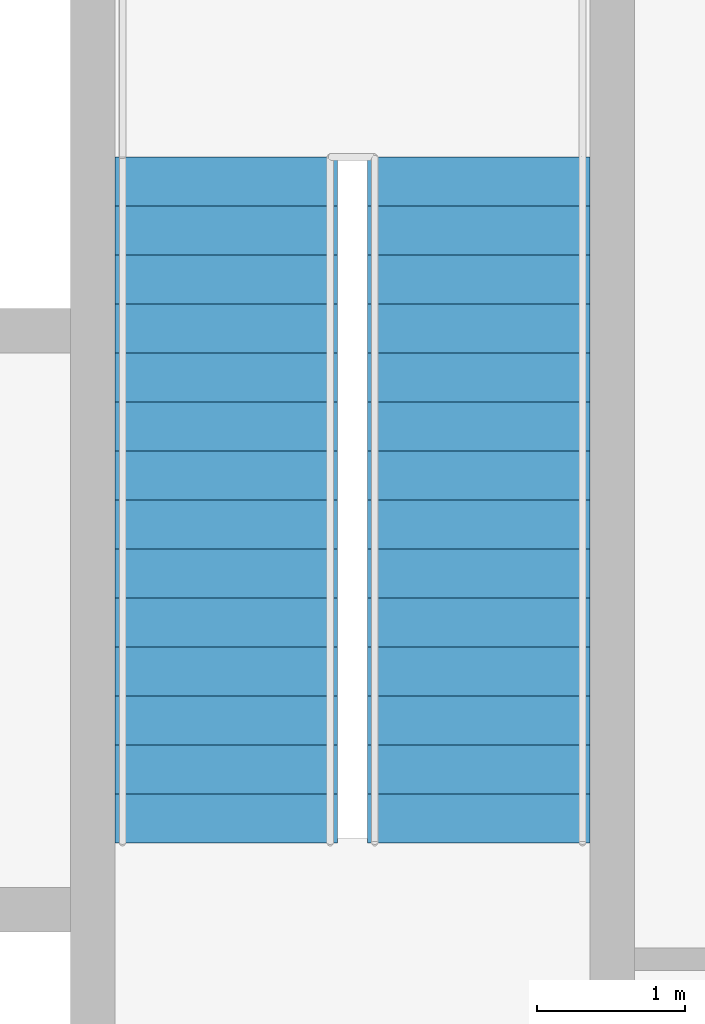
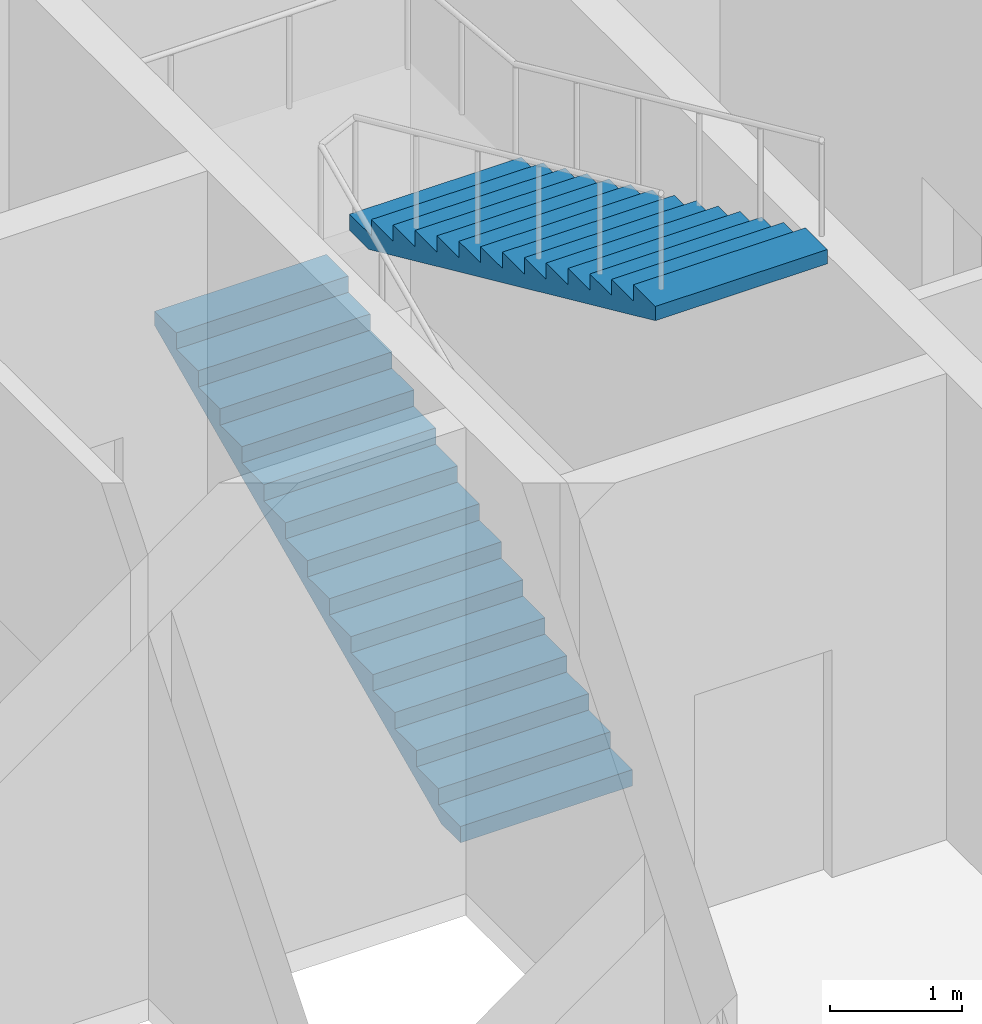
# One storey, part 10 of 11: 2 stair flights, 1 element without a shape of its own.
"""IFC4 building model written with IfcOpenShell, lengths in metres."""

from ifc_helpers import new_model, si_unit, direction, frame, origin, place, context, subcontext, project, spatial, polygons, material, type_object, element, aggregate, save


model = new_model("IFC4")

# Units and contexts
model_context = context("Model", 3, precision=1e-05, world=origin(), true_north=direction((0.0, 1.0)))
body_context = subcontext(model_context, "Body", "Model", "MODEL_VIEW")
ifc_project = project(units=[si_unit("LENGTHUNIT", "METRE"), si_unit("AREAUNIT", "SQUARE_METRE"), si_unit("VOLUMEUNIT", "CUBIC_METRE"), si_unit("PLANEANGLEUNIT", "RADIAN"), si_unit("MASSUNIT", "GRAM", prefix="KILO")], contexts=[model_context])

# Site, building, storey
site_placement = place(None, origin())
site = spatial("IfcSite", under=ifc_project, at=site_placement, CompositionType="ELEMENT")
building_placement = place(site_placement, origin())
building = spatial("IfcBuilding", under=site, at=building_placement, Name="Njiva Tower", CompositionType="ELEMENT")
storey_placement = place(building_placement, frame((0.0, 0.0, 69.3)))
storey = spatial("IfcBuildingStorey", under=building, at=storey_placement, Name="L14", CompositionType="ELEMENT", Elevation=69.3)

# Stair, stair flights
ifc_material = material(Name="Concrete C40/50", Category="concrete")
stair_type = type_object("IfcStairType", Name="ST4 Exit stair 1500", PredefinedType="HALF_TURN_STAIR", material=ifc_material)
stair_placement = place(storey_placement, origin())
stair = element("IfcStair", 1, at=stair_placement, inside=storey, type_object=stair_type, Name="Stair B", PredefinedType="HALF_TURN_STAIR")
stair_flight_type = type_object("IfcStairFlightType", Name="FL4 Stair flight 1500", PredefinedType="STRAIGHT", material=ifc_material)
stair_flight_1_placement = place(storey_placement, frame((11.75, 11.1, 0.0), z_axis=(0.0, 0.0, 1.0), x_axis=(0.0, 1.0, 0.0)))
stair_flight_1 = element("IfcStairFlight", 2, at=stair_flight_1_placement, type_object=stair_flight_type, Name="ST-B flight 1", NumberOfRisers=15, NumberOfTreads=14, PredefinedType="STRAIGHT", RiserHeight=0.15, TreadLength=0.33, context=body_context, shape_type="Tessellation", body=[
    polygons([(0.0, 0.75, 0.0), (0.0, 0.375, 0.0), (0.0, 0.0, 0.0), (0.0, -0.375, 0.0), (0.0, -0.75, 0.0), (0.0, 0.75, 0.15), (0.0, 0.375, 0.15), (0.0, 0.0, 0.15), (0.0, -0.375, 0.15), (0.0, -0.75, 0.15), (0.33, 0.75, 0.15), (0.33, 0.375, 0.15), (0.33, 0.0, 0.15), (0.33, -0.375, 0.15), (0.33, -0.75, 0.15), (0.33, 0.75, 0.3), (0.33, 0.375, 0.3), (0.33, 0.0, 0.3), (0.33, -0.375, 0.3), (0.33, -0.75, 0.3), (0.66, 0.75, 0.3), (0.66, 0.375, 0.3), (0.66, 0.0, 0.3), (0.66, -0.375, 0.3), (0.66, -0.75, 0.3), (0.66, 0.75, 0.45), (0.66, 0.375, 0.45), (0.66, 0.0, 0.45), (0.66, -0.375, 0.45), (0.66, -0.75, 0.45), (0.99, 0.75, 0.45), (0.99, 0.375, 0.45), (0.99, 0.0, 0.45), (0.99, -0.375, 0.45), (0.99, -0.75, 0.45), (0.99, 0.75, 0.6), (0.99, 0.375, 0.6), (0.99, 0.0, 0.6), (0.99, -0.375, 0.6), (0.99, -0.75, 0.6), (1.32, 0.75, 0.6), (1.32, 0.375, 0.6), (1.32, 0.0, 0.6), (1.32, -0.375, 0.6), (1.32, -0.75, 0.6), (1.32, 0.75, 0.75), (1.32, 0.375, 0.75), (1.32, 0.0, 0.75), (1.32, -0.375, 0.75), (1.32, -0.75, 0.75), (1.65, 0.75, 0.75), (1.65, 0.375, 0.75), (1.65, 0.0, 0.75), (1.65, -0.375, 0.75), (1.65, -0.75, 0.75), (1.65, 0.75, 0.9), (1.65, 0.375, 0.9), (1.65, 0.0, 0.9), (1.65, -0.375, 0.9), (1.65, -0.75, 0.9), (1.98, 0.75, 0.9), (1.98, 0.375, 0.9), (1.98, 0.0, 0.9), (1.98, -0.375, 0.9), (1.98, -0.75, 0.9), (1.98, 0.75, 1.05), (1.98, 0.375, 1.05), (1.98, 0.0, 1.05), (1.98, -0.375, 1.05), (1.98, -0.75, 1.05), (2.31, 0.75, 1.05), (2.31, 0.375, 1.05), (2.31, 0.0, 1.05), (2.31, -0.375, 1.05), (2.31, -0.75, 1.05), (2.31, 0.75, 1.2), (2.31, 0.375, 1.2), (2.31, 0.0, 1.2), (2.31, -0.375, 1.2), (2.31, -0.75, 1.2), (2.64, 0.75, 1.2), (2.64, 0.375, 1.2), (2.64, 0.0, 1.2), (2.64, -0.375, 1.2), (2.64, -0.75, 1.2), (2.64, 0.75, 1.35), (2.64, 0.375, 1.35), (2.64, 0.0, 1.35), (2.64, -0.375, 1.35), (2.64, -0.75, 1.35), (2.97, 0.75, 1.35), (2.97, 0.375, 1.35), (2.97, 0.0, 1.35), (2.97, -0.375, 1.35), (2.97, -0.75, 1.35), (2.97, 0.75, 1.5), (2.97, 0.375, 1.5), (2.97, 0.0, 1.5), (2.97, -0.375, 1.5), (2.97, -0.75, 1.5), (3.3, 0.75, 1.5), (3.3, 0.375, 1.5), (3.3, 0.0, 1.5), (3.3, -0.375, 1.5), (3.3, -0.75, 1.5), (3.3, 0.75, 1.65), (3.3, 0.375, 1.65), (3.3, 0.0, 1.65), (3.3, -0.375, 1.65), (3.3, -0.75, 1.65), (3.63, 0.75, 1.65), (3.63, 0.375, 1.65), (3.63, 0.0, 1.65), (3.63, -0.375, 1.65), (3.63, -0.75, 1.65), (3.63, 0.75, 1.8), (3.63, 0.375, 1.8), (3.63, 0.0, 1.8), (3.63, -0.375, 1.8), (3.63, -0.75, 1.8), (3.96, 0.75, 1.8), (3.96, 0.375, 1.8), (3.96, 0.0, 1.8), (3.96, -0.375, 1.8), (3.96, -0.75, 1.8), (3.96, 0.75, 1.95), (3.96, 0.375, 1.95), (3.96, 0.0, 1.95), (3.96, -0.375, 1.95), (3.96, -0.75, 1.95), (4.29, 0.75, 1.95), (4.29, 0.375, 1.95), (4.29, 0.0, 1.95), (4.29, -0.375, 1.95), (4.29, -0.75, 1.95), (4.29, 0.75, 2.1), (4.29, 0.375, 2.1), (4.29, 0.0, 2.1), (4.29, -0.375, 2.1), (4.29, -0.75, 2.1), (4.62, 0.75, 2.1), (4.62, 0.375, 2.1), (4.62, 0.0, 2.1), (4.62, -0.375, 2.1), (4.62, -0.75, 2.1), (4.62, 0.75, 1.9682), (4.62, 0.375, 1.9682), (4.62, 0.0, 1.9682), (4.62, -0.375, 1.9682), (4.62, -0.75, 1.9682), (0.29, 0.75, 0.0), (0.29, 0.375, 0.0), (0.29, 0.0, 0.0), (0.29, -0.375, 0.0), (0.29, -0.75, 0.0)], [[[1, 6, 11, 16, 21, 26, 31, 36, 41, 46, 51, 56, 61, 66, 71, 76, 81, 86, 91, 96, 101, 106, 111, 116, 121, 126, 131, 136, 141, 146, 151]], [[155, 150, 145, 140, 135, 130, 125, 120, 115, 110, 105, 100, 95, 90, 85, 80, 75, 70, 65, 60, 55, 50, 45, 40, 35, 30, 25, 20, 15, 10, 5]], [[6, 1, 2, 7]], [[7, 2, 3, 8]], [[8, 3, 4, 9]], [[9, 4, 5, 10]], [[11, 6, 7, 12]], [[12, 7, 8, 13]], [[13, 8, 9, 14]], [[14, 9, 10, 15]], [[16, 11, 12, 17]], [[17, 12, 13, 18]], [[18, 13, 14, 19]], [[19, 14, 15, 20]], [[21, 16, 17, 22]], [[22, 17, 18, 23]], [[23, 18, 19, 24]], [[24, 19, 20, 25]], [[26, 21, 22, 27]], [[27, 22, 23, 28]], [[28, 23, 24, 29]], [[29, 24, 25, 30]], [[31, 26, 27, 32]], [[32, 27, 28, 33]], [[33, 28, 29, 34]], [[34, 29, 30, 35]], [[36, 31, 32, 37]], [[37, 32, 33, 38]], [[38, 33, 34, 39]], [[39, 34, 35, 40]], [[41, 36, 37, 42]], [[42, 37, 38, 43]], [[43, 38, 39, 44]], [[44, 39, 40, 45]], [[46, 41, 42, 47]], [[47, 42, 43, 48]], [[48, 43, 44, 49]], [[49, 44, 45, 50]], [[51, 46, 47, 52]], [[52, 47, 48, 53]], [[53, 48, 49, 54]], [[54, 49, 50, 55]], [[56, 51, 52, 57]], [[57, 52, 53, 58]], [[58, 53, 54, 59]], [[59, 54, 55, 60]], [[61, 56, 57, 62]], [[62, 57, 58, 63]], [[63, 58, 59, 64]], [[64, 59, 60, 65]], [[66, 61, 62, 67]], [[67, 62, 63, 68]], [[68, 63, 64, 69]], [[69, 64, 65, 70]], [[71, 66, 67, 72]], [[72, 67, 68, 73]], [[73, 68, 69, 74]], [[74, 69, 70, 75]], [[76, 71, 72, 77]], [[77, 72, 73, 78]], [[78, 73, 74, 79]], [[79, 74, 75, 80]], [[81, 76, 77, 82]], [[82, 77, 78, 83]], [[83, 78, 79, 84]], [[84, 79, 80, 85]], [[86, 81, 82, 87]], [[87, 82, 83, 88]], [[88, 83, 84, 89]], [[89, 84, 85, 90]], [[91, 86, 87, 92]], [[92, 87, 88, 93]], [[93, 88, 89, 94]], [[94, 89, 90, 95]], [[96, 91, 92, 97]], [[97, 92, 93, 98]], [[98, 93, 94, 99]], [[99, 94, 95, 100]], [[101, 96, 97, 102]], [[102, 97, 98, 103]], [[103, 98, 99, 104]], [[104, 99, 100, 105]], [[106, 101, 102, 107]], [[107, 102, 103, 108]], [[108, 103, 104, 109]], [[109, 104, 105, 110]], [[111, 106, 107, 112]], [[112, 107, 108, 113]], [[113, 108, 109, 114]], [[114, 109, 110, 115]], [[116, 111, 112, 117]], [[117, 112, 113, 118]], [[118, 113, 114, 119]], [[119, 114, 115, 120]], [[121, 116, 117, 122]], [[122, 117, 118, 123]], [[123, 118, 119, 124]], [[124, 119, 120, 125]], [[126, 121, 122, 127]], [[127, 122, 123, 128]], [[128, 123, 124, 129]], [[129, 124, 125, 130]], [[131, 126, 127, 132]], [[132, 127, 128, 133]], [[133, 128, 129, 134]], [[134, 129, 130, 135]], [[136, 131, 132, 137]], [[137, 132, 133, 138]], [[138, 133, 134, 139]], [[139, 134, 135, 140]], [[141, 136, 137, 142]], [[142, 137, 138, 143]], [[143, 138, 139, 144]], [[144, 139, 140, 145]], [[146, 141, 142, 147]], [[147, 142, 143, 148]], [[148, 143, 144, 149]], [[149, 144, 145, 150]], [[151, 146, 147, 152]], [[152, 147, 148, 153]], [[153, 148, 149, 154]], [[154, 149, 150, 155]], [[1, 151, 152, 2]], [[2, 152, 153, 3]], [[3, 153, 154, 4]], [[4, 154, 155, 5]]], closed=True),
])
stair_flight_2_placement = place(storey_placement, frame((13.45, 15.72, 2.25), z_axis=(0.0, 0.0, 1.0), x_axis=(0.0, -1.0, 0.0)))
stair_flight_2 = element("IfcStairFlight", 3, at=stair_flight_2_placement, type_object=stair_flight_type, Name="ST-B flight 2", NumberOfRisers=15, NumberOfTreads=14, PredefinedType="STRAIGHT", RiserHeight=0.15, TreadLength=0.33, context=body_context, shape_type="Tessellation", body=[
    polygons([(0.0, 0.75, 0.0), (0.0, 0.375, 0.0), (0.0, 0.0, 0.0), (0.0, -0.375, 0.0), (0.0, -0.75, 0.0), (0.0, 0.75, 0.15), (0.0, 0.375, 0.15), (0.0, 0.0, 0.15), (0.0, -0.375, 0.15), (0.0, -0.75, 0.15), (0.33, 0.75, 0.15), (0.33, 0.375, 0.15), (0.33, 0.0, 0.15), (0.33, -0.375, 0.15), (0.33, -0.75, 0.15), (0.33, 0.75, 0.3), (0.33, 0.375, 0.3), (0.33, 0.0, 0.3), (0.33, -0.375, 0.3), (0.33, -0.75, 0.3), (0.66, 0.75, 0.3), (0.66, 0.375, 0.3), (0.66, 0.0, 0.3), (0.66, -0.375, 0.3), (0.66, -0.75, 0.3), (0.66, 0.75, 0.45), (0.66, 0.375, 0.45), (0.66, 0.0, 0.45), (0.66, -0.375, 0.45), (0.66, -0.75, 0.45), (0.99, 0.75, 0.45), (0.99, 0.375, 0.45), (0.99, 0.0, 0.45), (0.99, -0.375, 0.45), (0.99, -0.75, 0.45), (0.99, 0.75, 0.6), (0.99, 0.375, 0.6), (0.99, 0.0, 0.6), (0.99, -0.375, 0.6), (0.99, -0.75, 0.6), (1.32, 0.75, 0.6), (1.32, 0.375, 0.6), (1.32, 0.0, 0.6), (1.32, -0.375, 0.6), (1.32, -0.75, 0.6), (1.32, 0.75, 0.75), (1.32, 0.375, 0.75), (1.32, 0.0, 0.75), (1.32, -0.375, 0.75), (1.32, -0.75, 0.75), (1.65, 0.75, 0.75), (1.65, 0.375, 0.75), (1.65, 0.0, 0.75), (1.65, -0.375, 0.75), (1.65, -0.75, 0.75), (1.65, 0.75, 0.9), (1.65, 0.375, 0.9), (1.65, 0.0, 0.9), (1.65, -0.375, 0.9), (1.65, -0.75, 0.9), (1.98, 0.75, 0.9), (1.98, 0.375, 0.9), (1.98, 0.0, 0.9), (1.98, -0.375, 0.9), (1.98, -0.75, 0.9), (1.98, 0.75, 1.05), (1.98, 0.375, 1.05), (1.98, 0.0, 1.05), (1.98, -0.375, 1.05), (1.98, -0.75, 1.05), (2.31, 0.75, 1.05), (2.31, 0.375, 1.05), (2.31, 0.0, 1.05), (2.31, -0.375, 1.05), (2.31, -0.75, 1.05), (2.31, 0.75, 1.2), (2.31, 0.375, 1.2), (2.31, 0.0, 1.2), (2.31, -0.375, 1.2), (2.31, -0.75, 1.2), (2.64, 0.75, 1.2), (2.64, 0.375, 1.2), (2.64, 0.0, 1.2), (2.64, -0.375, 1.2), (2.64, -0.75, 1.2), (2.64, 0.75, 1.35), (2.64, 0.375, 1.35), (2.64, 0.0, 1.35), (2.64, -0.375, 1.35), (2.64, -0.75, 1.35), (2.97, 0.75, 1.35), (2.97, 0.375, 1.35), (2.97, 0.0, 1.35), (2.97, -0.375, 1.35), (2.97, -0.75, 1.35), (2.97, 0.75, 1.5), (2.97, 0.375, 1.5), (2.97, 0.0, 1.5), (2.97, -0.375, 1.5), (2.97, -0.75, 1.5), (3.3, 0.75, 1.5), (3.3, 0.375, 1.5), (3.3, 0.0, 1.5), (3.3, -0.375, 1.5), (3.3, -0.75, 1.5), (3.3, 0.75, 1.65), (3.3, 0.375, 1.65), (3.3, 0.0, 1.65), (3.3, -0.375, 1.65), (3.3, -0.75, 1.65), (3.63, 0.75, 1.65), (3.63, 0.375, 1.65), (3.63, 0.0, 1.65), (3.63, -0.375, 1.65), (3.63, -0.75, 1.65), (3.63, 0.75, 1.8), (3.63, 0.375, 1.8), (3.63, 0.0, 1.8), (3.63, -0.375, 1.8), (3.63, -0.75, 1.8), (3.96, 0.75, 1.8), (3.96, 0.375, 1.8), (3.96, 0.0, 1.8), (3.96, -0.375, 1.8), (3.96, -0.75, 1.8), (3.96, 0.75, 1.95), (3.96, 0.375, 1.95), (3.96, 0.0, 1.95), (3.96, -0.375, 1.95), (3.96, -0.75, 1.95), (4.29, 0.75, 1.95), (4.29, 0.375, 1.95), (4.29, 0.0, 1.95), (4.29, -0.375, 1.95), (4.29, -0.75, 1.95), (4.29, 0.75, 2.1), (4.29, 0.375, 2.1), (4.29, 0.0, 2.1), (4.29, -0.375, 2.1), (4.29, -0.75, 2.1), (4.62, 0.75, 2.1), (4.62, 0.375, 2.1), (4.62, 0.0, 2.1), (4.62, -0.375, 2.1), (4.62, -0.75, 2.1), (4.62, 0.75, 1.9682), (4.62, 0.375, 1.9682), (4.62, 0.0, 1.9682), (4.62, -0.375, 1.9682), (4.62, -0.75, 1.9682), (0.29, 0.75, 0.0), (0.29, 0.375, 0.0), (0.29, 0.0, 0.0), (0.29, -0.375, 0.0), (0.29, -0.75, 0.0)], [[[1, 6, 11, 16, 21, 26, 31, 36, 41, 46, 51, 56, 61, 66, 71, 76, 81, 86, 91, 96, 101, 106, 111, 116, 121, 126, 131, 136, 141, 146, 151]], [[155, 150, 145, 140, 135, 130, 125, 120, 115, 110, 105, 100, 95, 90, 85, 80, 75, 70, 65, 60, 55, 50, 45, 40, 35, 30, 25, 20, 15, 10, 5]], [[6, 1, 2, 7]], [[7, 2, 3, 8]], [[8, 3, 4, 9]], [[9, 4, 5, 10]], [[11, 6, 7, 12]], [[12, 7, 8, 13]], [[13, 8, 9, 14]], [[14, 9, 10, 15]], [[16, 11, 12, 17]], [[17, 12, 13, 18]], [[18, 13, 14, 19]], [[19, 14, 15, 20]], [[21, 16, 17, 22]], [[22, 17, 18, 23]], [[23, 18, 19, 24]], [[24, 19, 20, 25]], [[26, 21, 22, 27]], [[27, 22, 23, 28]], [[28, 23, 24, 29]], [[29, 24, 25, 30]], [[31, 26, 27, 32]], [[32, 27, 28, 33]], [[33, 28, 29, 34]], [[34, 29, 30, 35]], [[36, 31, 32, 37]], [[37, 32, 33, 38]], [[38, 33, 34, 39]], [[39, 34, 35, 40]], [[41, 36, 37, 42]], [[42, 37, 38, 43]], [[43, 38, 39, 44]], [[44, 39, 40, 45]], [[46, 41, 42, 47]], [[47, 42, 43, 48]], [[48, 43, 44, 49]], [[49, 44, 45, 50]], [[51, 46, 47, 52]], [[52, 47, 48, 53]], [[53, 48, 49, 54]], [[54, 49, 50, 55]], [[56, 51, 52, 57]], [[57, 52, 53, 58]], [[58, 53, 54, 59]], [[59, 54, 55, 60]], [[61, 56, 57, 62]], [[62, 57, 58, 63]], [[63, 58, 59, 64]], [[64, 59, 60, 65]], [[66, 61, 62, 67]], [[67, 62, 63, 68]], [[68, 63, 64, 69]], [[69, 64, 65, 70]], [[71, 66, 67, 72]], [[72, 67, 68, 73]], [[73, 68, 69, 74]], [[74, 69, 70, 75]], [[76, 71, 72, 77]], [[77, 72, 73, 78]], [[78, 73, 74, 79]], [[79, 74, 75, 80]], [[81, 76, 77, 82]], [[82, 77, 78, 83]], [[83, 78, 79, 84]], [[84, 79, 80, 85]], [[86, 81, 82, 87]], [[87, 82, 83, 88]], [[88, 83, 84, 89]], [[89, 84, 85, 90]], [[91, 86, 87, 92]], [[92, 87, 88, 93]], [[93, 88, 89, 94]], [[94, 89, 90, 95]], [[96, 91, 92, 97]], [[97, 92, 93, 98]], [[98, 93, 94, 99]], [[99, 94, 95, 100]], [[101, 96, 97, 102]], [[102, 97, 98, 103]], [[103, 98, 99, 104]], [[104, 99, 100, 105]], [[106, 101, 102, 107]], [[107, 102, 103, 108]], [[108, 103, 104, 109]], [[109, 104, 105, 110]], [[111, 106, 107, 112]], [[112, 107, 108, 113]], [[113, 108, 109, 114]], [[114, 109, 110, 115]], [[116, 111, 112, 117]], [[117, 112, 113, 118]], [[118, 113, 114, 119]], [[119, 114, 115, 120]], [[121, 116, 117, 122]], [[122, 117, 118, 123]], [[123, 118, 119, 124]], [[124, 119, 120, 125]], [[126, 121, 122, 127]], [[127, 122, 123, 128]], [[128, 123, 124, 129]], [[129, 124, 125, 130]], [[131, 126, 127, 132]], [[132, 127, 128, 133]], [[133, 128, 129, 134]], [[134, 129, 130, 135]], [[136, 131, 132, 137]], [[137, 132, 133, 138]], [[138, 133, 134, 139]], [[139, 134, 135, 140]], [[141, 136, 137, 142]], [[142, 137, 138, 143]], [[143, 138, 139, 144]], [[144, 139, 140, 145]], [[146, 141, 142, 147]], [[147, 142, 143, 148]], [[148, 143, 144, 149]], [[149, 144, 145, 150]], [[151, 146, 147, 152]], [[152, 147, 148, 153]], [[153, 148, 149, 154]], [[154, 149, 150, 155]], [[1, 151, 152, 2]], [[2, 152, 153, 3]], [[3, 153, 154, 4]], [[4, 154, 155, 5]]], closed=True),
])
aggregate(stair, [stair_flight_1, stair_flight_2])

save(model, "model.ifc")
